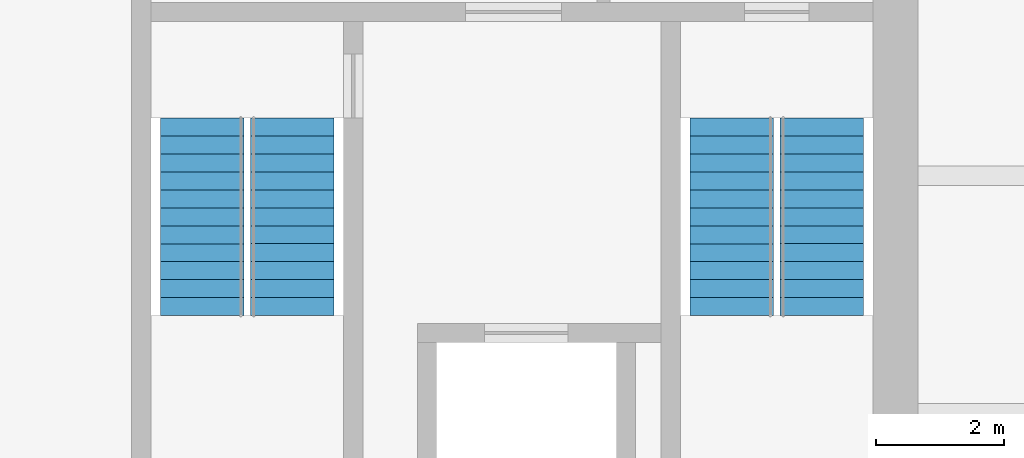
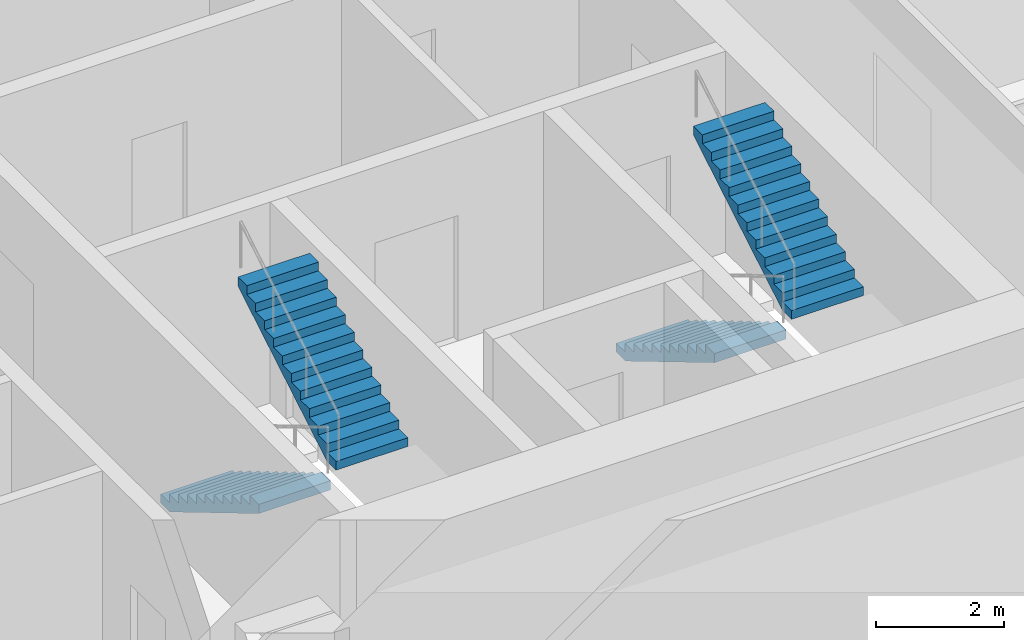
# One storey, part 12 of 13: 4 stair flights, 2 elements without a shape of their own.
"""IFC4 building model written with IfcOpenShell, lengths in metres."""

from ifc_helpers import new_model, si_unit, direction, frame, origin, place, context, subcontext, project, spatial, polyline, outline, extrude, material, type_object, element, aggregate, save


model = new_model("IFC4")

# Units and contexts
model_context = context("Model", 3, precision=1e-05, world=origin(), true_north=direction((0.0, 1.0)))
body_context = subcontext(model_context, "Body", "Model", "MODEL_VIEW")
ifc_project = project(units=[si_unit("LENGTHUNIT", "METRE"), si_unit("AREAUNIT", "SQUARE_METRE"), si_unit("VOLUMEUNIT", "CUBIC_METRE"), si_unit("PLANEANGLEUNIT", "RADIAN"), si_unit("MASSUNIT", "GRAM", prefix="KILO")], contexts=[model_context])

# Site, building, storey
site_placement = place(None, origin())
site = spatial("IfcSite", under=ifc_project, at=site_placement, CompositionType="ELEMENT")
building_placement = place(site_placement, origin())
building = spatial("IfcBuilding", under=site, at=building_placement, Name="Rimbunsela Tower", CompositionType="ELEMENT")
storey_placement = place(building_placement, frame((0.0, 0.0, 222.199951171875)))
storey = spatial("IfcBuildingStorey", under=building, at=storey_placement, Name="L53", CompositionType="ELEMENT", Elevation=222.199951171875)

# Stair, stair flights
ifc_material_1 = material(Name="Concrete fc' 35 MPa", Category="concrete")
stair_type = type_object("IfcStairType", Name="Exit stair 24 risers", PredefinedType="HALF_TURN_STAIR", material=ifc_material_1)
stair_1_placement = place(storey_placement, origin())
stair_1 = element("IfcStair", 1, at=stair_1_placement, inside=storey, type_object=stair_type, Name="Exit stair A L53", PredefinedType="HALF_TURN_STAIR")
ifc_material_2 = material(Name="Concrete fc' 35 MPa", Category="concrete")
stair_flight_type = type_object("IfcStairFlightType", Name="Stair flight 12 risers 167", PredefinedType="STRAIGHT", material=ifc_material_2)
stair_flight_1_placement = place(storey_placement, frame((24.949951171875, 24.89990234375, 0.0), z_axis=(0.0, 0.0, 1.0), x_axis=(0.0, -1.0, 0.0)))
stair_flight_1 = element("IfcStairFlight", 2, at=stair_flight_1_placement, type_object=stair_flight_type, Name="ST-A flight 1", NumberOfRisers=12, NumberOfTreads=11, PredefinedType="STRAIGHT", RiserHeight=0.166666667, TreadLength=0.28, context=body_context, shape_type="SweptSolid", body=[
    extrude(outline(polyline([(0.0, 0.0), (0.0, 0.166748046875), (0.280029296875, 0.166748046875), (0.280029296875, 0.333251953125), (0.56005859375, 0.333251953125), (0.56005859375, 0.5), (0.840087890625, 0.5), (0.840087890625, 0.666748046875), (1.1201171875, 0.666748046875), (1.1201171875, 0.833251953125), (1.39990234375, 0.833251953125), (1.39990234375, 1.0), (1.679931640625, 1.0), (1.679931640625, 1.166748046875), (1.9599609375, 1.166748046875), (1.9599609375, 1.333251953125), (2.239990234375, 1.333251953125), (2.239990234375, 1.5), (2.52001953125, 1.5), (2.52001953125, 1.666748046875), (2.800048828125, 1.666748046875), (2.800048828125, 1.833251953125), (3.080078125, 1.833251953125), (3.080078125, 2.0), (3.080078125, 1.658935546875), (0.29296875, 0.0), (0.0, 0.0)])), frame((0.0, 0.64990234375, 0.0), z_axis=(0.0, -1.0, 0.0), x_axis=(1.0, 0.0, 0.0)), (0.0, 0.0, 1.0), 1.300048828125),
])
stair_flight_2_placement = place(storey_placement, frame((26.35009765625, 21.820068359375, 2.0), z_axis=(0.0, 0.0, 1.0), x_axis=(0.0, 1.0, 0.0)))
stair_flight_2 = element("IfcStairFlight", 3, at=stair_flight_2_placement, type_object=stair_flight_type, Name="ST-A flight 2", NumberOfRisers=12, NumberOfTreads=11, PredefinedType="STRAIGHT", RiserHeight=0.166666667, TreadLength=0.28, context=body_context, shape_type="SweptSolid", body=[
    extrude(outline(polyline([(0.0, 0.0), (0.0, 0.166748046875), (0.280029296875, 0.166748046875), (0.280029296875, 0.333251953125), (0.56005859375, 0.333251953125), (0.56005859375, 0.5), (0.840087890625, 0.5), (0.840087890625, 0.666748046875), (1.1201171875, 0.666748046875), (1.1201171875, 0.833251953125), (1.39990234375, 0.833251953125), (1.39990234375, 1.0), (1.679931640625, 1.0), (1.679931640625, 1.166748046875), (1.9599609375, 1.166748046875), (1.9599609375, 1.333251953125), (2.239990234375, 1.333251953125), (2.239990234375, 1.5), (2.52001953125, 1.5), (2.52001953125, 1.666748046875), (2.800048828125, 1.666748046875), (2.800048828125, 1.833251953125), (3.080078125, 1.833251953125), (3.080078125, 2.0), (3.080078125, 1.658935546875), (0.29296875, 0.0), (0.0, 0.0)])), frame((0.0, 0.64990234375, 0.0), z_axis=(0.0, -1.0, 0.0), x_axis=(1.0, 0.0, 0.0)), (0.0, 0.0, 1.0), 1.300048828125),
])
aggregate(stair_1, [stair_flight_1, stair_flight_2])

stair_2_placement = place(storey_placement, origin())
stair_2 = element("IfcStair", 4, at=stair_2_placement, inside=storey, type_object=stair_type, Name="Exit stair B L53", PredefinedType="HALF_TURN_STAIR")
stair_flight_3_placement = place(storey_placement, frame((33.199951171875, 24.89990234375, 0.0), z_axis=(0.0, 0.0, 1.0), x_axis=(0.0, -1.0, 0.0)))
stair_flight_3 = element("IfcStairFlight", 5, at=stair_flight_3_placement, type_object=stair_flight_type, Name="ST-B flight 1", NumberOfRisers=12, NumberOfTreads=11, PredefinedType="STRAIGHT", RiserHeight=0.166666667, TreadLength=0.28, context=body_context, shape_type="SweptSolid", body=[
    extrude(outline(polyline([(0.0, 0.0), (0.0, 0.166748046875), (0.280029296875, 0.166748046875), (0.280029296875, 0.333251953125), (0.56005859375, 0.333251953125), (0.56005859375, 0.5), (0.840087890625, 0.5), (0.840087890625, 0.666748046875), (1.1201171875, 0.666748046875), (1.1201171875, 0.833251953125), (1.39990234375, 0.833251953125), (1.39990234375, 1.0), (1.679931640625, 1.0), (1.679931640625, 1.166748046875), (1.9599609375, 1.166748046875), (1.9599609375, 1.333251953125), (2.239990234375, 1.333251953125), (2.239990234375, 1.5), (2.52001953125, 1.5), (2.52001953125, 1.666748046875), (2.800048828125, 1.666748046875), (2.800048828125, 1.833251953125), (3.080078125, 1.833251953125), (3.080078125, 2.0), (3.080078125, 1.658935546875), (0.29296875, 0.0), (0.0, 0.0)])), frame((0.0, 0.64990234375, 0.0), z_axis=(0.0, -1.0, 0.0), x_axis=(1.0, 0.0, 0.0)), (0.0, 0.0, 1.0), 1.300048828125),
])
stair_flight_4_placement = place(storey_placement, frame((34.60009765625, 21.820068359375, 2.0), z_axis=(0.0, 0.0, 1.0), x_axis=(0.0, 1.0, 0.0)))
stair_flight_4 = element("IfcStairFlight", 6, at=stair_flight_4_placement, type_object=stair_flight_type, Name="ST-B flight 2", NumberOfRisers=12, NumberOfTreads=11, PredefinedType="STRAIGHT", RiserHeight=0.166666667, TreadLength=0.28, context=body_context, shape_type="SweptSolid", body=[
    extrude(outline(polyline([(0.0, 0.0), (0.0, 0.166748046875), (0.280029296875, 0.166748046875), (0.280029296875, 0.333251953125), (0.56005859375, 0.333251953125), (0.56005859375, 0.5), (0.840087890625, 0.5), (0.840087890625, 0.666748046875), (1.1201171875, 0.666748046875), (1.1201171875, 0.833251953125), (1.39990234375, 0.833251953125), (1.39990234375, 1.0), (1.679931640625, 1.0), (1.679931640625, 1.166748046875), (1.9599609375, 1.166748046875), (1.9599609375, 1.333251953125), (2.239990234375, 1.333251953125), (2.239990234375, 1.5), (2.52001953125, 1.5), (2.52001953125, 1.666748046875), (2.800048828125, 1.666748046875), (2.800048828125, 1.833251953125), (3.080078125, 1.833251953125), (3.080078125, 2.0), (3.080078125, 1.658935546875), (0.29296875, 0.0), (0.0, 0.0)])), frame((0.0, 0.64990234375, 0.0), z_axis=(0.0, -1.0, 0.0), x_axis=(1.0, 0.0, 0.0)), (0.0, 0.0, 1.0), 1.300048828125),
])
aggregate(stair_2, [stair_flight_3, stair_flight_4])

save(model, "model.ifc")
